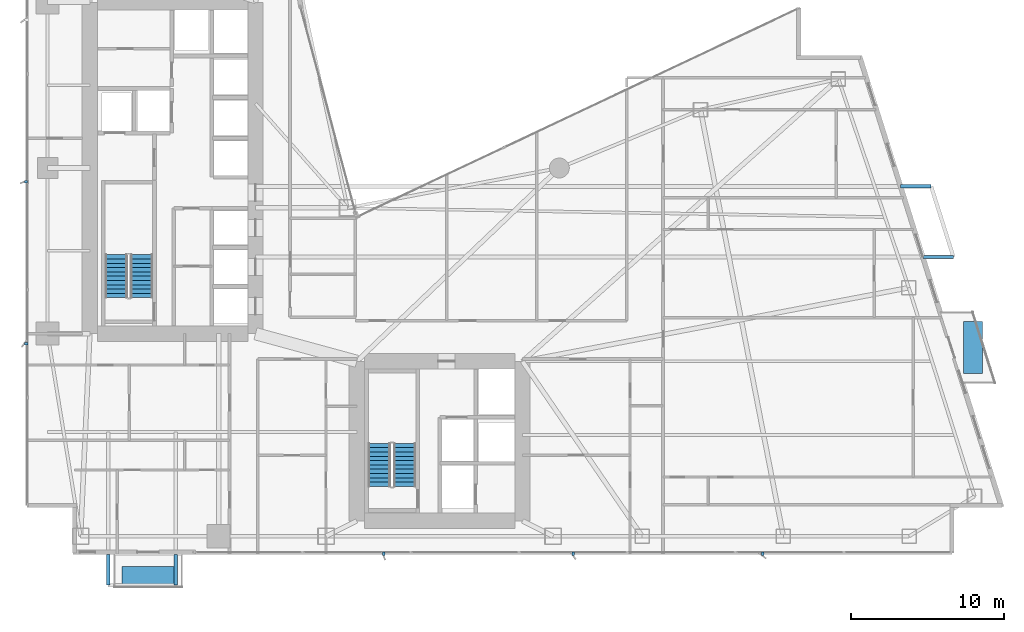
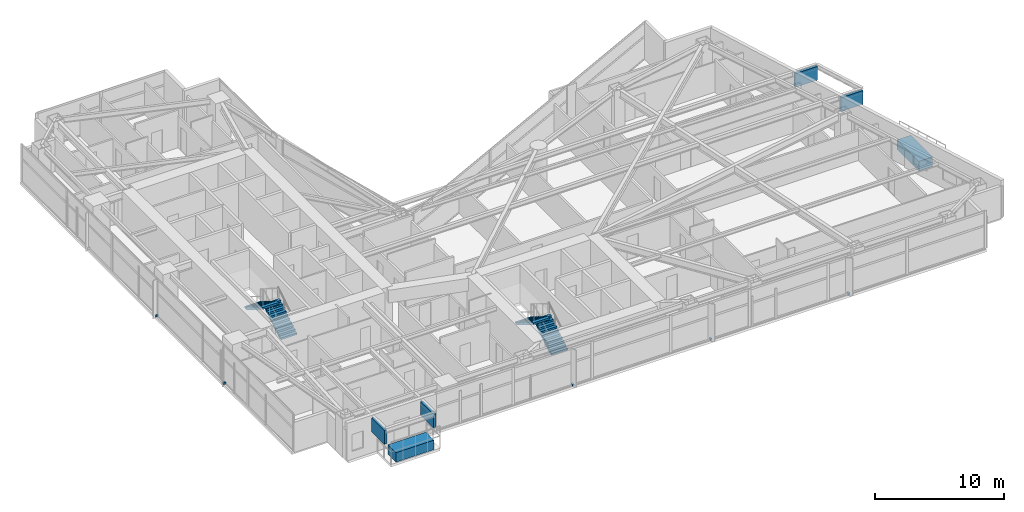
# One storey, part 26 of 29: 11 discrete accessories, 4 stair flights, 2 elements without a shape of their own.
"""IFC4 building model written with IfcOpenShell, lengths in metres."""

from ifc_helpers import new_model, si_unit, direction, frame, origin, origin_2d, place, context, subcontext, project, spatial, polyline, rectangle, outline, extrude, material, type_object, element, aggregate, save


model = new_model("IFC4")

# Units and contexts
model_context = context("Model", 3, precision=1e-05, world=origin(), true_north=direction((0.0, 1.0)))
body_context = subcontext(model_context, "Body", "Model", "MODEL_VIEW")
ifc_project = project(units=[si_unit("LENGTHUNIT", "METRE"), si_unit("AREAUNIT", "SQUARE_METRE"), si_unit("VOLUMEUNIT", "CUBIC_METRE"), si_unit("PLANEANGLEUNIT", "RADIAN"), si_unit("MASSUNIT", "GRAM", prefix="KILO")], contexts=[model_context])

# Site, building, storey
site_placement = place(None, origin())
site = spatial("IfcSite", under=ifc_project, at=site_placement, CompositionType="ELEMENT")
building_placement = place(site_placement, origin())
building = spatial("IfcBuilding", under=site, at=building_placement, Name="Calvorn Quay Hotel", CompositionType="ELEMENT")
storey_placement = place(building_placement, frame((0.0, 0.0, 62.199951171875)))
storey = spatial("IfcBuildingStorey", under=building, at=storey_placement, Name="L14", CompositionType="ELEMENT", Elevation=62.199951171875)

# Stair, stair flights
ifc_material_1 = material(Name="Concrete C40", Category="concrete")
stair_type = type_object("IfcStairType", Name="STR-CORE-DOGLEG", PredefinedType="HALF_TURN_STAIR", material=ifc_material_1)
stair_1_placement = place(storey_placement, origin())
stair_1 = element("IfcStair", 1, at=stair_1_placement, inside=storey, type_object=stair_type, Name="L14 ST-W", PredefinedType="HALF_TURN_STAIR")
ifc_material_2 = material(Name="Concrete C40", Category="concrete")
stair_flight_type = type_object("IfcStairFlightType", Name="FLT-CORE-1550", PredefinedType="STRAIGHT", material=ifc_material_2)
stair_flight_1_placement = place(storey_placement, frame((7.574951171875, 19.14990234375, 0.0), z_axis=(0.0, 0.0, 1.0), x_axis=(0.0, 1.0, 0.0)))
stair_flight_1 = element("IfcStairFlight", 2, at=stair_flight_1_placement, type_object=stair_flight_type, Name="ST-W flight 1", NumberOfRisers=11, NumberOfTreads=10, PredefinedType="STRAIGHT", RiserHeight=0.172727273, TreadLength=0.28, context=body_context, shape_type="SweptSolid", body=[
    extrude(outline(polyline([(0.0, 0.0), (0.0, 0.172607421875), (0.280029296875, 0.172607421875), (0.280029296875, 0.345458984375), (0.56005859375, 0.345458984375), (0.56005859375, 0.51806640625), (0.840087890625, 0.51806640625), (0.840087890625, 0.69091796875), (1.1201171875, 0.69091796875), (1.1201171875, 0.863525390625), (1.39990234375, 0.863525390625), (1.39990234375, 1.036376953125), (1.679931640625, 1.036376953125), (1.679931640625, 1.208984375), (1.9599609375, 1.208984375), (1.9599609375, 1.3818359375), (2.239990234375, 1.3818359375), (2.239990234375, 1.554443359375), (2.52001953125, 1.554443359375), (2.52001953125, 1.727294921875), (2.800048828125, 1.727294921875), (2.800048828125, 1.89990234375), (2.800048828125, 1.551025390625), (0.285400390625, 0.0), (0.0, 0.0)])), frame((0.0, 0.72509765625, 0.0), z_axis=(0.0, -1.0, 0.0), x_axis=(1.0, 0.0, 0.0)), (0.0, 0.0, 1.0), 1.449951171875),
])
stair_flight_2_placement = place(storey_placement, frame((5.925048828125, 21.949951171875, 1.900146484375), z_axis=(0.0, 0.0, 1.0), x_axis=(0.0, -1.0, 0.0)))
stair_flight_2 = element("IfcStairFlight", 3, at=stair_flight_2_placement, type_object=stair_flight_type, Name="ST-W flight 2", NumberOfRisers=11, NumberOfTreads=10, PredefinedType="STRAIGHT", RiserHeight=0.172727273, TreadLength=0.28, context=body_context, shape_type="SweptSolid", body=[
    extrude(outline(polyline([(0.0, 0.0), (0.0, 0.172607421875), (0.280029296875, 0.172607421875), (0.280029296875, 0.345458984375), (0.56005859375, 0.345458984375), (0.56005859375, 0.51806640625), (0.840087890625, 0.51806640625), (0.840087890625, 0.69091796875), (1.1201171875, 0.69091796875), (1.1201171875, 0.863525390625), (1.39990234375, 0.863525390625), (1.39990234375, 1.036376953125), (1.679931640625, 1.036376953125), (1.679931640625, 1.208984375), (1.9599609375, 1.208984375), (1.9599609375, 1.3818359375), (2.239990234375, 1.3818359375), (2.239990234375, 1.554443359375), (2.52001953125, 1.554443359375), (2.52001953125, 1.727294921875), (2.800048828125, 1.727294921875), (2.800048828125, 1.89990234375), (2.800048828125, 1.551025390625), (0.285400390625, 0.0), (0.0, 0.0)])), frame((0.0, 0.72509765625, 0.0), z_axis=(0.0, -1.0, 0.0), x_axis=(1.0, 0.0, 0.0)), (0.0, 0.0, 1.0), 1.449951171875),
])
aggregate(stair_1, [stair_flight_1, stair_flight_2])

stair_2_placement = place(storey_placement, origin())
stair_2 = element("IfcStair", 4, at=stair_2_placement, inside=storey, type_object=stair_type, Name="L14 ST-E", PredefinedType="HALF_TURN_STAIR")
stair_flight_3_placement = place(storey_placement, frame((24.72509765625, 6.85009765625, 0.0), z_axis=(0.0, 0.0, 1.0), x_axis=(0.0, 1.0, 0.0)))
stair_flight_3 = element("IfcStairFlight", 5, at=stair_flight_3_placement, type_object=stair_flight_type, Name="ST-E flight 1", NumberOfRisers=11, NumberOfTreads=10, PredefinedType="STRAIGHT", RiserHeight=0.172727273, TreadLength=0.28, context=body_context, shape_type="SweptSolid", body=[
    extrude(outline(polyline([(0.0, 0.0), (0.0, 0.172607421875), (0.280029296875, 0.172607421875), (0.280029296875, 0.345458984375), (0.56005859375, 0.345458984375), (0.56005859375, 0.51806640625), (0.840087890625, 0.51806640625), (0.840087890625, 0.69091796875), (1.1201171875, 0.69091796875), (1.1201171875, 0.863525390625), (1.39990234375, 0.863525390625), (1.39990234375, 1.036376953125), (1.679931640625, 1.036376953125), (1.679931640625, 1.208984375), (1.9599609375, 1.208984375), (1.9599609375, 1.3818359375), (2.239990234375, 1.3818359375), (2.239990234375, 1.554443359375), (2.52001953125, 1.554443359375), (2.52001953125, 1.727294921875), (2.800048828125, 1.727294921875), (2.800048828125, 1.89990234375), (2.800048828125, 1.551025390625), (0.285400390625, 0.0), (0.0, 0.0)])), frame((0.0, 0.72509765625, 0.0), z_axis=(0.0, -1.0, 0.0), x_axis=(1.0, 0.0, 0.0)), (0.0, 0.0, 1.0), 1.449951171875),
])
stair_flight_4_placement = place(storey_placement, frame((23.074951171875, 9.64990234375, 1.900146484375), z_axis=(0.0, 0.0, 1.0), x_axis=(0.0, -1.0, 0.0)))
stair_flight_4 = element("IfcStairFlight", 6, at=stair_flight_4_placement, type_object=stair_flight_type, Name="ST-E flight 2", NumberOfRisers=11, NumberOfTreads=10, PredefinedType="STRAIGHT", RiserHeight=0.172727273, TreadLength=0.28, context=body_context, shape_type="SweptSolid", body=[
    extrude(outline(polyline([(0.0, 0.0), (0.0, 0.172607421875), (0.280029296875, 0.172607421875), (0.280029296875, 0.345458984375), (0.56005859375, 0.345458984375), (0.56005859375, 0.51806640625), (0.840087890625, 0.51806640625), (0.840087890625, 0.69091796875), (1.1201171875, 0.69091796875), (1.1201171875, 0.863525390625), (1.39990234375, 0.863525390625), (1.39990234375, 1.036376953125), (1.679931640625, 1.036376953125), (1.679931640625, 1.208984375), (1.9599609375, 1.208984375), (1.9599609375, 1.3818359375), (2.239990234375, 1.3818359375), (2.239990234375, 1.554443359375), (2.52001953125, 1.554443359375), (2.52001953125, 1.727294921875), (2.800048828125, 1.727294921875), (2.800048828125, 1.89990234375), (2.800048828125, 1.551025390625), (0.285400390625, 0.0), (0.0, 0.0)])), frame((0.0, 0.72509765625, 0.0), z_axis=(0.0, -1.0, 0.0), x_axis=(1.0, 0.0, 0.0)), (0.0, 0.0, 1.0), 1.449951171875),
])
aggregate(stair_2, [stair_flight_3, stair_flight_4])

# Discrete accessories
ifc_material_3 = material(Name="Steel Q355B", Category="steel")
discrete_accessory_type_1 = type_object("IfcDiscreteAccessoryType", Name="ACC-BALC-STRUT", PredefinedType="BRACKET", material=ifc_material_3)
for number, where, z_axis, x_axis, name in (
    (7, (59.490966796875, 21.800048828125, 2.01513671875), (0.0, 0.0, 1.0), (1.0, 0.0, 0.0), "Exterior Balcony Steel Bracket L15-BALC-E-A"),
    (8, (58.0419921875, 26.39990234375, 2.01513671875), (0.0, 0.0, 1.0), (1.0, 0.0, 0.0), "Exterior Balcony Steel Bracket L15-BALC-E-B"),
):
    element("IfcDiscreteAccessory", number, at=place(storey_placement, frame(where, z_axis=z_axis, x_axis=x_axis)), inside=storey, type_object=discrete_accessory_type_1, Name=name, PredefinedType="BRACKET", context=body_context, shape_type="SweptSolid", body=[
        extrude(rectangle(XDim=1.989990234375, YDim=0.219970703125, at=origin_2d()), origin(), (0.0, 0.0, 1.0), 1.300048828125),
    ])
for number, where, z_axis, x_axis, name in (
    (9, (5.39990234375, 1.405029296875, 2.01513671875), (0.0, 0.0, 1.0), (1.0, 0.0, 0.0), "Exterior Balcony Steel Bracket L15-BALC-S-A"),
    (10, (9.800048828125, 1.405029296875, 2.01513671875), (0.0, 0.0, 1.0), (1.0, 0.0, 0.0), "Exterior Balcony Steel Bracket L15-BALC-S-B"),
):
    element("IfcDiscreteAccessory", number, at=place(storey_placement, frame(where, z_axis=z_axis, x_axis=x_axis)), inside=storey, type_object=discrete_accessory_type_1, Name=name, PredefinedType="BRACKET", context=body_context, shape_type="SweptSolid", body=[
        extrude(rectangle(XDim=0.219970703125, YDim=1.989990234375, at=origin_2d()), origin(), (0.0, 0.0, 1.0), 1.300048828125),
    ])
ifc_material_4 = material(Name="Steel Q355B", Category="steel")
discrete_accessory_type_2 = type_object("IfcDiscreteAccessoryType", Name="ACC-FIN-BRACKET", PredefinedType="BRACKET", material=ifc_material_4)
for number, where, z_axis, x_axis, name in (
    (11, (0.06005859375, 16.14990234375, 0.0302734375), (0.0, 0.0, 1.0), (1.0, 0.0, 0.0), "Fin Anchor Bracket L14-W01"),
    (12, (0.06005859375, 26.699951171875, 0.0302734375), (0.0, 0.0, 1.0), (1.0, 0.0, 0.0), "Fin Anchor Bracket L14-W02"),
    (13, (23.35009765625, 2.4599609375, 0.0302734375), (0.0, 0.0, 1.0), (0.0, 1.0, 0.0), "Fin Anchor Bracket L14-S01"),
    (14, (35.699951171875, 2.4599609375, 0.0302734375), (0.0, 0.0, 1.0), (0.0, 1.0, 0.0), "Fin Anchor Bracket L14-S02"),
    (15, (48.050048828125, 2.4599609375, 0.0302734375), (0.0, 0.0, 1.0), (0.0, 1.0, 0.0), "Fin Anchor Bracket L14-S03"),
):
    element("IfcDiscreteAccessory", number, at=place(storey_placement, frame(where, z_axis=z_axis, x_axis=x_axis)), inside=storey, type_object=discrete_accessory_type_2, Name=name, PredefinedType="BRACKET", context=body_context, shape_type="SweptSolid", body=[
        extrude(rectangle(XDim=0.239990234375, YDim=0.159912109375, at=origin_2d()), origin(), (0.0, 0.0, 1.0), 0.179931640625),
    ])
ifc_material_5 = material(Name="Precast concrete C40", Category="concrete")
discrete_accessory_type_3 = type_object("IfcDiscreteAccessoryType", Name="ACC-TREE-PLANTER", PredefinedType="USERDEFINED", material=ifc_material_5)
discrete_accessory_1_placement = place(storey_placement, frame((61.763916015625, 15.89990234375, 0.0), z_axis=(0.0, 0.0, 1.0), x_axis=(1.0, 0.0, 0.0)))
element("IfcDiscreteAccessory", 16, at=discrete_accessory_1_placement, inside=storey, type_object=discrete_accessory_type_3, Name="Subtropical Tree Structural Planter L14-BALC-E", ObjectType="PLANTER", PredefinedType="USERDEFINED", context=body_context, shape_type="SweptSolid", body=[
    extrude(rectangle(XDim=1.25, YDim=3.39990234375, at=origin_2d()), origin(), (0.0, 0.0, 1.0), 0.89990234375),
])
discrete_accessory_2_placement = place(storey_placement, frame((8.0, 0.989990234375, 0.0), z_axis=(0.0, 0.0, 1.0), x_axis=(1.0, 0.0, 0.0)))
element("IfcDiscreteAccessory", 17, at=discrete_accessory_2_placement, inside=storey, type_object=discrete_accessory_type_3, Name="Subtropical Tree Structural Planter L14-BALC-S", ObjectType="PLANTER", PredefinedType="USERDEFINED", context=body_context, shape_type="SweptSolid", body=[
    extrude(rectangle(XDim=3.39990234375, YDim=1.25, at=origin_2d()), origin(), (0.0, 0.0, 1.0), 0.89990234375),
])

save(model, "model.ifc")
